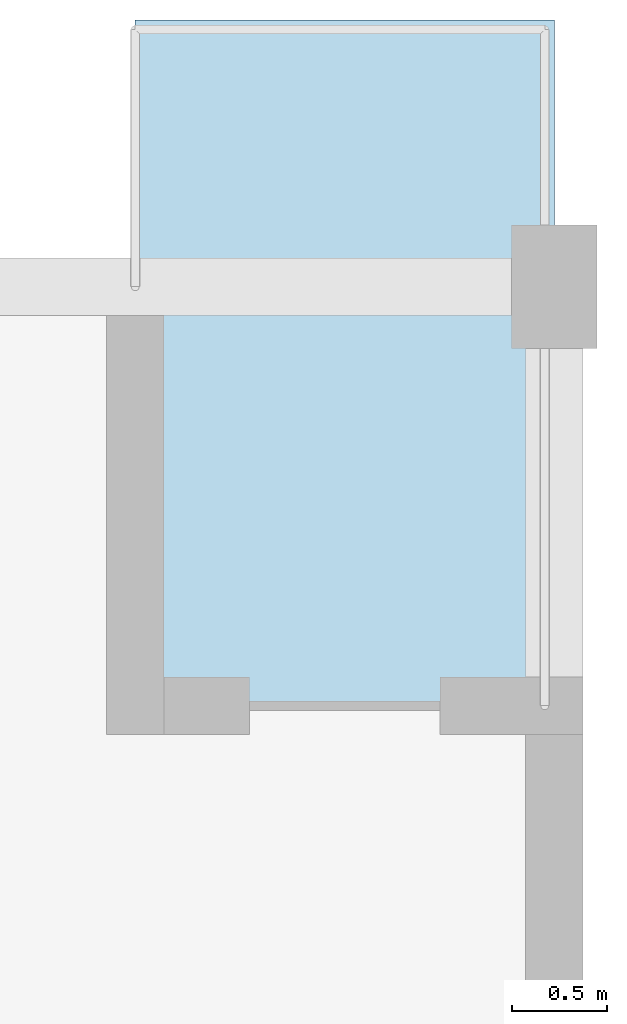
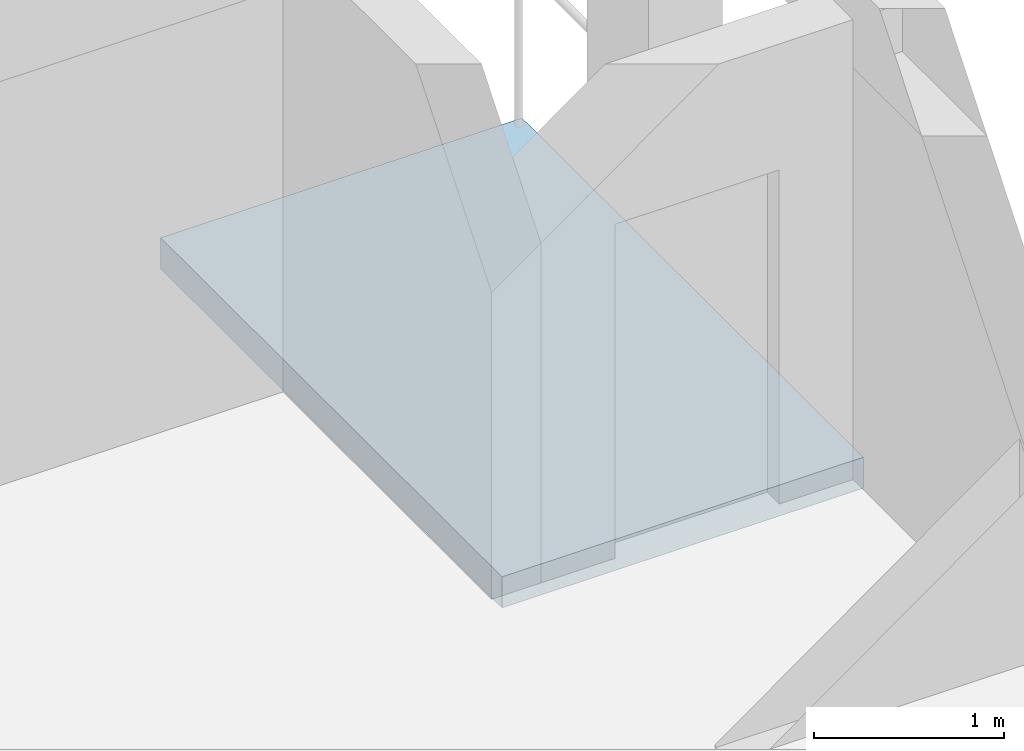
# One storey, part 25 of 52: 1 slab.
"""IFC4 building model written with IfcOpenShell, lengths in metres."""

import ifcopenshell
import ifcopenshell.guid

model = None  # the IFC model being written
_history = None  # IfcOwnerHistory: only IFC2X3 demands one
_inside = {}  # id of a spatial element -> (the spatial element, [elements in it])
_under = {}  # id of a project, library or spatial element -> (it, [spatial elements below it])
_declared = {}  # id of a project -> (the project, [libraries it declares])
_typed = {}  # id of a type object -> (the type object, [elements of that type])
_made_of = {}  # id of a material, layer set ... -> (it, [elements and type objects made of it])


def new_model(schema):
    """Start an empty IFC model of exactly this schema.

    Asked for "IFC4X3", IfcOpenShell would pick the latest addendum, in which some entities
    have other attributes; the version numbers below select the first issue.
    IFC2X3 requires an IfcOwnerHistory on every rooted entity: one is made here for all.
    """
    global model, _history
    if schema == "IFC4X3":
        model = ifcopenshell.file(schema_version=(4, 3, 0, 0))
    else:
        model = ifcopenshell.file(schema=schema)
    _inside.clear()
    _under.clear()
    _declared.clear()
    _typed.clear()
    _made_of.clear()
    _history = None
    if model.schema == "IFC2X3":
        org = make("IfcOrganization", Name="unknown")
        user = make(
            "IfcPersonAndOrganization",
            ThePerson=make("IfcPerson", FamilyName="unknown"),
            TheOrganization=org,
        )
        app = make(
            "IfcApplication",
            ApplicationDeveloper=org,
            Version="unknown",
            ApplicationFullName="unknown",
            ApplicationIdentifier="unknown",
        )
        _history = make(
            "IfcOwnerHistory",
            OwningUser=user,
            OwningApplication=app,
            ChangeAction="ADDED",
            CreationDate=0,
        )
    return model


def make(cls, **values):
    """One entity of the class cls with the attributes given. An attribute that is None is left unset."""
    return model.create_entity(
        cls, **{name: value for name, value in values.items() if value is not None}
    )


def rooted(cls, **values):
    """An entity with a GlobalId (a new one), such as an element, a storey or a relation."""
    return make(cls, GlobalId=ifcopenshell.guid.new(), OwnerHistory=_history, **values)


def si_unit(unit_type, name, prefix=None):
    """IfcSIUnit, for example si_unit("LENGTHUNIT", "METRE", prefix="MILLI")."""
    return make("IfcSIUnit", UnitType=unit_type, Prefix=prefix, Name=name)


def assignment(units):
    """IfcUnitAssignment: the units of a project."""
    return None if units is None else make("IfcUnitAssignment", Units=units)


def point(xyz):
    """IfcCartesianPoint."""
    return None if xyz is None else make("IfcCartesianPoint", Coordinates=xyz)


def direction(xyz):
    """IfcDirection."""
    return None if xyz is None else make("IfcDirection", DirectionRatios=xyz)


def frame(location, z_axis=None, x_axis=None):
    """IfcAxis2Placement3D, a coordinate frame: its origin and axes. An axis left out is left unset."""
    return make(
        "IfcAxis2Placement3D",
        Location=point(location),
        Axis=direction(z_axis),
        RefDirection=direction(x_axis),
    )


def origin():
    """The frame at (0, 0, 0) with its axes left unset."""
    return frame((0.0, 0.0, 0.0))


def place(relative_to, where):
    """IfcLocalPlacement: puts the frame where relative to a parent placement (None: the world)."""
    return make(
        "IfcLocalPlacement", PlacementRelTo=relative_to, RelativePlacement=where
    )


def context(
    kind, dimensions, precision=None, world=None, true_north=None, identifier=None
):
    """IfcGeometricRepresentationContext, for example the 3D "Model" context."""
    return make(
        "IfcGeometricRepresentationContext",
        ContextIdentifier=identifier,
        ContextType=kind,
        CoordinateSpaceDimension=dimensions,
        Precision=precision,
        WorldCoordinateSystem=world,
        TrueNorth=true_north,
    )


def subcontext(parent, identifier, kind, view, scale=None):
    """IfcGeometricRepresentationSubContext, for example "Body" below "Model"."""
    return make(
        "IfcGeometricRepresentationSubContext",
        ContextIdentifier=identifier,
        ContextType=kind,
        ParentContext=parent,
        TargetScale=scale,
        TargetView=view,
    )


def project(units=None, contexts=None):
    """IfcProject with its units and contexts."""
    return rooted(
        "IfcProject",
        Name="project",
        RepresentationContexts=contexts,
        UnitsInContext=assignment(units),
    )


def spatial(cls, under=None, at=None, **own):
    """A site, building, storey or space (cls), placed at a placement, below another one or the project."""
    s = rooted(cls, ObjectPlacement=at, **own)
    if under is not None:
        _under.setdefault(under.id(), (under, []))[1].append(s)
    return s


def polyline(points):
    """IfcPolyline through the points."""
    return make("IfcPolyline", Points=[point(p) for p in points])


def outline(outer, holes=None, kind="AREA"):
    """IfcArbitraryClosedProfileDef: a profile drawn as a closed curve; with holes, ...WithVoids."""
    if holes is None:
        return make("IfcArbitraryClosedProfileDef", ProfileType=kind, OuterCurve=outer)
    return make(
        "IfcArbitraryProfileDefWithVoids",
        ProfileType=kind,
        OuterCurve=outer,
        InnerCurves=holes,
    )


def extrude(swept, where, along, depth):
    """IfcExtrudedAreaSolid: the profile swept, set in the frame where, extruded along a direction by depth."""
    return make(
        "IfcExtrudedAreaSolid",
        SweptArea=swept,
        Position=where,
        ExtrudedDirection=direction(along),
        Depth=depth,
    )


def shape(context_of_items, identifier, shape_type, items):
    """IfcShapeRepresentation: the items that make up one representation, for example the "Body"."""
    return make(
        "IfcShapeRepresentation",
        ContextOfItems=context_of_items,
        RepresentationIdentifier=identifier,
        RepresentationType=shape_type,
        Items=items,
    )


def material(Name=None, Category=None):
    """IfcMaterial."""
    return make("IfcMaterial", Name=Name, Category=Category)


def layer(
    of_material, thickness, ventilated=None, Name=None, Category=None, Priority=None
):
    """IfcMaterialLayer: one layer of a wall or slab, of a material (None: an air gap)."""
    return make(
        "IfcMaterialLayer",
        Material=of_material,
        LayerThickness=thickness,
        IsVentilated=ventilated,
        Name=Name,
        Category=Category,
        Priority=Priority,
    )


def layer_set(layers, Name=None):
    """IfcMaterialLayerSet."""
    return make("IfcMaterialLayerSet", MaterialLayers=layers, LayerSetName=Name)


def made_of(thing, what):
    """Note that an element or type object is made of a material, layer set ...; save() writes the relation."""
    if what is not None:
        _made_of.setdefault(what.id(), (what, []))[1].append(thing)
    return thing


def type_object(cls, material=None, **own):
    """A type object (cls), such as IfcWallType, which elements share."""
    return made_of(rooted(cls, **own), material)


def element(
    cls,
    number,
    at=None,
    inside=None,
    cuts=None,
    type_object=None,
    material=None,
    context=None,
    identifier="Body",
    shape_type=None,
    held_by="IfcProductDefinitionShape",
    body=None,
    shapes=None,
    **own,
):
    """One element of the class cls, such as IfcWall. Its Tag is "e" and its number.

    at: its placement. inside: the storey or other place that contains it. cuts: it is an
    opening in that element (IfcRelVoidsElement). A single representation is given by context,
    identifier, shape_type and body (its items); several are given by shapes. held_by: the class
    of the entity that holds the representations. save() writes the other relations.
    """
    e = rooted(cls, Tag="e%d" % number, ObjectPlacement=at, **own)
    if body is not None:
        shapes = [shape(context, identifier, shape_type, body)]
    if shapes is not None:
        e.Representation = make(held_by, Representations=shapes)
    if inside is not None:
        _inside.setdefault(inside.id(), (inside, []))[1].append(e)
    if cuts is not None:
        rooted(
            "IfcRelVoidsElement", RelatingBuildingElement=cuts, RelatedOpeningElement=e
        )
    if type_object is not None:
        _typed.setdefault(type_object.id(), (type_object, []))[1].append(e)
    return made_of(e, material)


def aggregate(whole, parts):
    """IfcRelAggregates: a whole, such as a stair, and the parts it consists of."""
    return rooted("IfcRelAggregates", RelatingObject=whole, RelatedObjects=parts)


def save(model, path):
    """Write the relations noted so far, then the file.

    IfcRelAggregates (storeys below a building ...), IfcRelContainedInSpatialStructure (elements
    in a storey), IfcRelDefinesByType, IfcRelAssociatesMaterial and IfcRelDeclares: one each for
    every whole, place, type object, material and project.
    """
    for whole, parts in _under.values():
        aggregate(whole, parts)
    for where, things in _inside.values():
        rooted(
            "IfcRelContainedInSpatialStructure",
            RelatedElements=things,
            RelatingStructure=where,
        )
    for kind, things in _typed.values():
        rooted("IfcRelDefinesByType", RelatedObjects=things, RelatingType=kind)
    for what, things in _made_of.values():
        rooted("IfcRelAssociatesMaterial", RelatedObjects=things, RelatingMaterial=what)
    for by, libraries in _declared.values():
        rooted("IfcRelDeclares", RelatingContext=by, RelatedDefinitions=libraries)
    model.write(path)


model = new_model("IFC4")

# Units and contexts
model_context = context("Model", 3, precision=1e-05, world=origin(), true_north=direction((0.0, 1.0)))
body_context = subcontext(model_context, "Body", "Model", "MODEL_VIEW")
ifc_project = project(units=[si_unit("LENGTHUNIT", "METRE"), si_unit("AREAUNIT", "SQUARE_METRE"), si_unit("VOLUMEUNIT", "CUBIC_METRE"), si_unit("PLANEANGLEUNIT", "RADIAN"), si_unit("MASSUNIT", "GRAM", prefix="KILO")], contexts=[model_context])

# Site, building, storey
site_placement = place(None, origin())
site = spatial("IfcSite", under=ifc_project, at=site_placement, CompositionType="ELEMENT")
building_placement = place(site_placement, origin())
building = spatial("IfcBuilding", under=site, at=building_placement, Name="Kernevlak Ridge Housing Community", CompositionType="ELEMENT")
storey_placement = place(building_placement, frame((0.0, 0.0, 11.60009765625)))
storey = spatial("IfcBuildingStorey", under=building, at=storey_placement, Name="L03", CompositionType="ELEMENT", Elevation=11.60009765625)

# Slab
ifc_material = material(Name="Concrete C35/45", Category="concrete")
ifc_layer = layer(ifc_material, 0.199951171875, Name="Concrete C35/45")
ifc_layer_set = layer_set([ifc_layer], Name="Concrete C35/45")
slab_type = type_object("IfcSlabType", Name="SL-05", PredefinedType="FLOOR", material=ifc_layer_set)
slab_placement = place(storey_placement, frame((0.0, 0.0, -0.2001953125)))
element("IfcSlab", 1, at=slab_placement, inside=storey, type_object=slab_type, Name="Block B L03 corner balcony deck slab", PredefinedType="FLOOR", context=body_context, shape_type="SweptSolid", body=[
    extrude(outline(polyline([(150.199951171875, 100.199951171875), (152.39990234375, 100.199951171875), (152.39990234375, 103.800048828125), (150.199951171875, 103.800048828125), (150.199951171875, 100.199951171875)])), origin(), (0.0, 0.0, 1.0), 0.2001953125),
])

save(model, "model.ifc")
